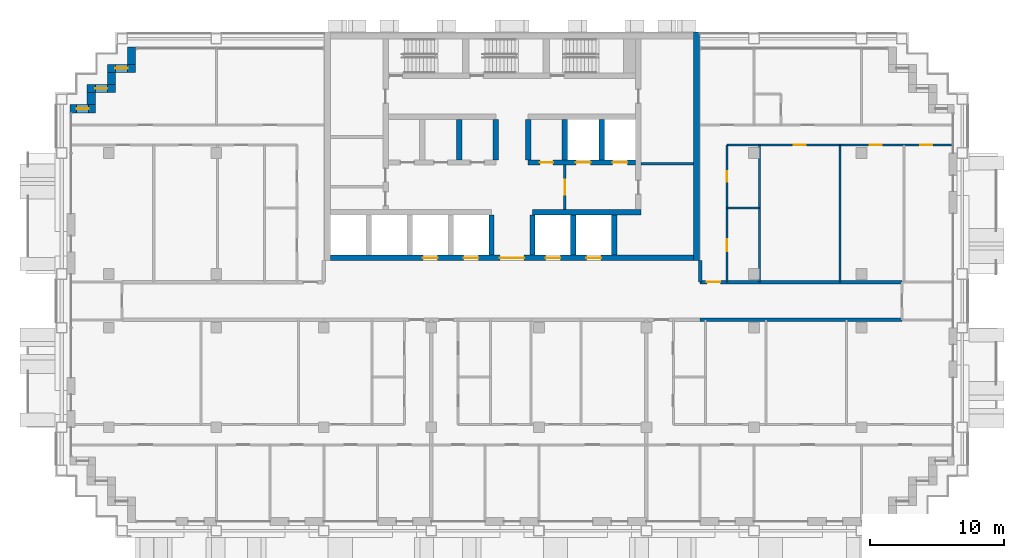
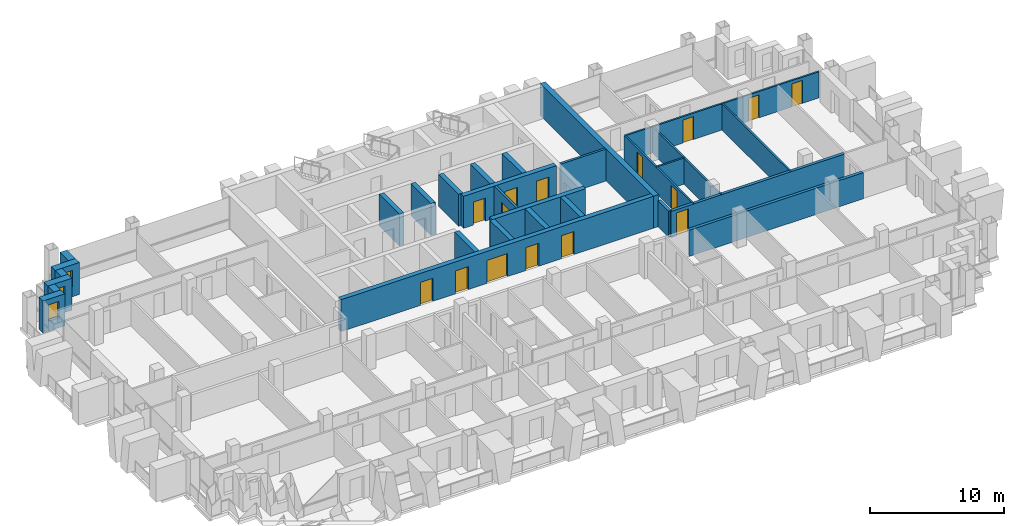
# One storey, part 10 of 16: 29 walls, 15 doors, 3 windows, 18 openings.
"""IFC4 building model written with IfcOpenShell, lengths in metres."""

from ifc_helpers import new_model, si_unit, direction, frame, frame_2d, origin, place, context, subcontext, project, spatial, rectangle, extrude, material, layer, layer_set, type_object, element, fill, save


model = new_model("IFC4")

# Units and contexts
model_context = context("Model", 3, precision=1e-05, world=origin(), true_north=direction((0.0, 1.0)))
body_context = subcontext(model_context, "Body", "Model", "MODEL_VIEW")
ifc_project = project(units=[si_unit("LENGTHUNIT", "METRE"), si_unit("AREAUNIT", "SQUARE_METRE"), si_unit("VOLUMEUNIT", "CUBIC_METRE"), si_unit("PLANEANGLEUNIT", "RADIAN"), si_unit("MASSUNIT", "GRAM", prefix="KILO")], contexts=[model_context])

# Site, building, storey
site_placement = place(None, origin())
site = spatial("IfcSite", under=ifc_project, at=site_placement, CompositionType="ELEMENT")
building_placement = place(site_placement, origin())
building = spatial("IfcBuilding", under=site, at=building_placement, Name="Vidyagriha Tower", CompositionType="ELEMENT")
storey_placement = place(building_placement, frame((0.0, 0.0, 135.800048828125)))
storey = spatial("IfcBuildingStorey", under=building, at=storey_placement, Name="L35", CompositionType="ELEMENT", Elevation=135.800048828125)

# Wall
ifc_material_1 = material(Name="Precast concrete C40/50 with brick facing", Category="concrete")
ifc_layer_1 = layer(ifc_material_1, 0.60009765625)
ifc_layer_set_1 = layer_set([ifc_layer_1], Name="Precast concrete C40/50 with brick facing")
wall_type_1 = type_object("IfcWallType", Name="Brick-faced precast wall 600", PredefinedType="STANDARD", material=ifc_layer_set_1)
wall_1_placement = place(storey_placement, frame((-28.300048828125, 18.8798828125, 0.0), z_axis=(0.0, 0.0, 1.0), x_axis=(0.0, -1.0, 0.0)))
element("IfcWall", 1, at=wall_1_placement, inside=storey, type_object=wall_type_1, Name="Stepped corner wall L35 R10", PredefinedType="STANDARD", context=body_context, shape_type="SweptSolid", body=[
    extrude(rectangle(XDim=1.27978515625, YDim=0.60009765625, at=frame_2d((0.639892578125, 0.0))), origin(), (0.0, 0.0, 1.0), 2.919921875),
])

# Wall, opening, window
wall_2_placement = place(storey_placement, frame((-28.0, 17.300048828125, 0.0), z_axis=(0.0, 0.0, 1.0), x_axis=(-1.0, 0.0, 0.0)))
wall_2 = element("IfcWall", 2, at=wall_2_placement, inside=storey, type_object=wall_type_1, Name="Stepped corner wall L35 R11", PredefinedType="STANDARD", context=body_context, shape_type="SweptSolid", body=[
    extrude(rectangle(XDim=2.10009765625, YDim=0.60009765625, at=frame_2d((1.050048828125, 0.0))), origin(), (0.0, 0.0, 1.0), 2.919921875),
])
opening_1_placement = place(wall_2_placement, frame((0.60009765625, 0.0, 0.89990234375)))
opening_1 = element("IfcOpeningElement", 3, at=opening_1_placement, cuts=wall_2, Name="Opening WN1", PredefinedType="OPENING", context=body_context, shape_type="SweptSolid", body=[
    extrude(rectangle(XDim=0.89990234375, YDim=1.5, at=frame_2d((0.449951171875, 0.75))), frame((0.0, 0.31005859375, 0.0), z_axis=(0.0, -1.0, 0.0), x_axis=(1.0, 0.0, 0.0)), (0.0, 0.0, 1.0), 0.6201171875),
])
ifc_material_2 = material(Name="Aluminium and glass window", Category="aluminium")
window_type = type_object("IfcWindowType", Name="Reveal window 900x1500", PartitioningType="NOTDEFINED", PredefinedType="WINDOW", material=ifc_material_2)
window_1_placement = place(opening_1_placement, origin())
window_1 = element("IfcWindow", 4, at=window_1_placement, inside=storey, type_object=window_type, Name="Reveal window L35 R11", OverallHeight=1.5, OverallWidth=0.89990234375, PartitioningType="SINGLE_PANEL", PredefinedType="WINDOW", context=body_context, shape_type="SweptSolid", body=[
    extrude(rectangle(XDim=0.89990234375, YDim=1.5, at=frame_2d((0.449951171875, 0.75))), frame((0.0, 0.030029296875, 0.0), z_axis=(0.0, -1.0, 0.0), x_axis=(1.0, 0.0, 0.0)), (0.0, 0.0, 1.0), 0.06005859375),
])
fill(opening_1, window_1)

# Wall
wall_3_placement = place(storey_placement, frame((-29.800048828125, 17.0, 0.0), z_axis=(0.0, 0.0, 1.0), x_axis=(0.0, -1.0, 0.0)))
element("IfcWall", 5, at=wall_3_placement, inside=storey, type_object=wall_type_1, Name="Stepped corner wall L35 R12", PredefinedType="STANDARD", context=body_context, shape_type="SweptSolid", body=[
    extrude(rectangle(XDim=0.89990234375, YDim=0.60009765625, at=frame_2d((0.449951171875, 0.0))), origin(), (0.0, 0.0, 1.0), 2.919921875),
])

# Wall, opening, window
wall_4_placement = place(storey_placement, frame((-29.5, 15.800048828125, 0.0), z_axis=(0.0, 0.0, 1.0), x_axis=(-1.0, 0.0, 0.0)))
wall_4 = element("IfcWall", 6, at=wall_4_placement, inside=storey, type_object=wall_type_1, Name="Stepped corner wall L35 R13", PredefinedType="STANDARD", context=body_context, shape_type="SweptSolid", body=[
    extrude(rectangle(XDim=2.10009765625, YDim=0.60009765625, at=frame_2d((1.050048828125, 0.0))), origin(), (0.0, 0.0, 1.0), 2.919921875),
])
opening_2_placement = place(wall_4_placement, frame((0.60009765625, 0.0, 0.89990234375)))
opening_2 = element("IfcOpeningElement", 7, at=opening_2_placement, cuts=wall_4, Name="Opening WN1", PredefinedType="OPENING", context=body_context, shape_type="SweptSolid", body=[
    extrude(rectangle(XDim=0.89990234375, YDim=1.5, at=frame_2d((0.449951171875, 0.75))), frame((0.0, 0.31005859375, 0.0), z_axis=(0.0, -1.0, 0.0), x_axis=(1.0, 0.0, 0.0)), (0.0, 0.0, 1.0), 0.6201171875),
])
window_2_placement = place(opening_2_placement, origin())
window_2 = element("IfcWindow", 8, at=window_2_placement, inside=storey, type_object=window_type, Name="Reveal window L35 R13", OverallHeight=1.5, OverallWidth=0.89990234375, PartitioningType="SINGLE_PANEL", PredefinedType="WINDOW", context=body_context, shape_type="SweptSolid", body=[
    extrude(rectangle(XDim=0.89990234375, YDim=1.5, at=frame_2d((0.449951171875, 0.75))), frame((0.0, 0.030029296875, 0.0), z_axis=(0.0, -1.0, 0.0), x_axis=(1.0, 0.0, 0.0)), (0.0, 0.0, 1.0), 0.06005859375),
])
fill(opening_2, window_2)

# Wall
wall_5_placement = place(storey_placement, frame((-31.300048828125, 15.5, 0.0), z_axis=(0.0, 0.0, 1.0), x_axis=(0.0, -1.0, 0.0)))
element("IfcWall", 9, at=wall_5_placement, inside=storey, type_object=wall_type_1, Name="Stepped corner wall L35 R14", PredefinedType="STANDARD", context=body_context, shape_type="SweptSolid", body=[
    extrude(rectangle(XDim=0.89990234375, YDim=0.60009765625, at=frame_2d((0.449951171875, 0.0))), origin(), (0.0, 0.0, 1.0), 2.919921875),
])

# Wall, opening, window
wall_6_placement = place(storey_placement, frame((-31.0, 14.300048828125, 0.0), z_axis=(0.0, 0.0, 1.0), x_axis=(-1.0, 0.0, 0.0)))
wall_6 = element("IfcWall", 10, at=wall_6_placement, inside=storey, type_object=wall_type_1, Name="Stepped corner wall L35 R15", PredefinedType="STANDARD", context=body_context, shape_type="SweptSolid", body=[
    extrude(rectangle(XDim=1.8798828125, YDim=0.60009765625, at=frame_2d((0.93994140625, 0.0))), origin(), (0.0, 0.0, 1.0), 2.919921875),
])
opening_3_placement = place(wall_6_placement, frame((0.489990234375, 0.0, 0.89990234375)))
opening_3 = element("IfcOpeningElement", 11, at=opening_3_placement, cuts=wall_6, Name="Opening WN1", PredefinedType="OPENING", context=body_context, shape_type="SweptSolid", body=[
    extrude(rectangle(XDim=0.89990234375, YDim=1.5, at=frame_2d((0.449951171875, 0.75))), frame((0.0, 0.31005859375, 0.0), z_axis=(0.0, -1.0, 0.0), x_axis=(1.0, 0.0, 0.0)), (0.0, 0.0, 1.0), 0.6201171875),
])
window_3_placement = place(opening_3_placement, origin())
window_3 = element("IfcWindow", 12, at=window_3_placement, inside=storey, type_object=window_type, Name="Reveal window L35 R15", OverallHeight=1.5, OverallWidth=0.89990234375, PartitioningType="SINGLE_PANEL", PredefinedType="WINDOW", context=body_context, shape_type="SweptSolid", body=[
    extrude(rectangle(XDim=0.89990234375, YDim=1.5, at=frame_2d((0.449951171875, 0.75))), frame((0.0, 0.030029296875, 0.0), z_axis=(0.0, -1.0, 0.0), x_axis=(1.0, 0.0, 0.0)), (0.0, 0.0, 1.0), 0.06005859375),
])
fill(opening_3, window_3)

# Wall, openings, doors
ifc_material_3 = material(Name="Concrete C60/75", Category="concrete")
ifc_layer_2 = layer(ifc_material_3, 0.39990234375)
ifc_layer_set_2 = layer_set([ifc_layer_2], Name="Concrete C60/75")
wall_type_2 = type_object("IfcWallType", Name="Core shear wall 400 mm", PredefinedType="SHEAR", material=ifc_layer_set_2)
wall_7_placement = place(storey_placement, frame((-13.5, 3.199951171875, 0.0)))
wall_7 = element("IfcWall", 13, at=wall_7_placement, inside=storey, type_object=wall_type_2, Name="Core front wall", PredefinedType="SHEAR", context=body_context, shape_type="SweptSolid", body=[
    extrude(rectangle(XDim=27.0, YDim=0.39990234375, at=frame_2d((13.5, 0.0))), origin(), (0.0, 0.0, 1.0), 2.919921875),
])
opening_4_placement = place(wall_7_placement, frame((6.861083984375, 0.0, 0.0)))
opening_4 = element("IfcOpeningElement", 14, at=opening_4_placement, cuts=wall_7, Name="Opening LD35-01", PredefinedType="OPENING", context=body_context, shape_type="SweptSolid", body=[
    extrude(rectangle(XDim=1.10009765625, YDim=2.10009765625, at=frame_2d((0.550048828125, 1.050048828125))), frame((0.0, 0.2099609375, 0.0), z_axis=(0.0, -1.0, 0.0), x_axis=(1.0, 0.0, 0.0)), (0.0, 0.0, 1.0), 0.419921875),
])
opening_5_placement = place(wall_7_placement, frame((9.905517578125, 0.0, 0.0)))
opening_5 = element("IfcOpeningElement", 15, at=opening_5_placement, cuts=wall_7, Name="Opening LD35-02", PredefinedType="OPENING", context=body_context, shape_type="SweptSolid", body=[
    extrude(rectangle(XDim=1.10009765625, YDim=2.10009765625, at=frame_2d((0.550048828125, 1.050048828125))), frame((0.0, 0.2099609375, 0.0), z_axis=(0.0, -1.0, 0.0), x_axis=(1.0, 0.0, 0.0)), (0.0, 0.0, 1.0), 0.419921875),
])
opening_6_placement = place(wall_7_placement, frame((15.994384765625, 0.0, 0.0)))
opening_6 = element("IfcOpeningElement", 16, at=opening_6_placement, cuts=wall_7, Name="Opening LD35-03", PredefinedType="OPENING", context=body_context, shape_type="SweptSolid", body=[
    extrude(rectangle(XDim=1.10009765625, YDim=2.10009765625, at=frame_2d((0.550048828125, 1.050048828125))), frame((0.0, 0.2099609375, 0.0), z_axis=(0.0, -1.0, 0.0), x_axis=(1.0, 0.0, 0.0)), (0.0, 0.0, 1.0), 0.419921875),
])
opening_7_placement = place(wall_7_placement, frame((19.038818359375, 0.0, 0.0)))
opening_7 = element("IfcOpeningElement", 17, at=opening_7_placement, cuts=wall_7, Name="Opening LD35-04", PredefinedType="OPENING", context=body_context, shape_type="SweptSolid", body=[
    extrude(rectangle(XDim=1.10009765625, YDim=2.10009765625, at=frame_2d((0.550048828125, 1.050048828125))), frame((0.0, 0.2099609375, 0.0), z_axis=(0.0, -1.0, 0.0), x_axis=(1.0, 0.0, 0.0)), (0.0, 0.0, 1.0), 0.419921875),
])
opening_8_placement = place(wall_7_placement, frame((12.60009765625, 0.0, 0.0)))
opening_8 = element("IfcOpeningElement", 18, at=opening_8_placement, cuts=wall_7, Name="Opening D35-01", PredefinedType="OPENING", context=body_context, shape_type="SweptSolid", body=[
    extrude(rectangle(XDim=1.800048828125, YDim=2.10009765625, at=frame_2d((0.89990234375, 1.050048828125))), frame((0.0, 0.2099609375, 0.0), z_axis=(0.0, -1.0, 0.0), x_axis=(1.0, 0.0, 0.0)), (0.0, 0.0, 1.0), 0.419921875),
])
ifc_material_4 = material(Name="Hollow metal door leaf")
door_type_1 = type_object("IfcDoorType", Name="Core lobby double door 1800 x 2100 mm EI 60", OperationType="NOTDEFINED", PredefinedType="DOOR", material=ifc_material_4)
door_1_placement = place(opening_8_placement, frame((1.800048828125, 0.0, 0.0), z_axis=(0.0, 0.0, 1.0), x_axis=(-1.0, 0.0, 0.0)))
door_1 = element("IfcDoor", 19, at=door_1_placement, inside=storey, type_object=door_type_1, Name="Core entrance door L35", OperationType="DOUBLE_DOOR_SINGLE_SWING", OverallHeight=2.10009765625, OverallWidth=1.800048828125, PredefinedType="DOOR", context=body_context, shape_type="SweptSolid", body=[
    extrude(rectangle(XDim=1.800048828125, YDim=2.10009765625, at=frame_2d((0.89990234375, 1.050048828125))), frame((0.0, 0.02490234375, 0.0), z_axis=(0.0, -1.0, 0.0), x_axis=(1.0, 0.0, 0.0)), (0.0, 0.0, 1.0), 0.050048828125),
])
fill(opening_8, door_1)
ifc_material_5 = material(Name="Stainless steel sliding door panel", Category="steel")
door_type_2 = type_object("IfcDoorType", Name="Lift landing door 1100 x 2100 mm EI 90", OperationType="NOTDEFINED", PredefinedType="DOOR", material=ifc_material_5)
door_2_placement = place(opening_4_placement, origin())
door_2 = element("IfcDoor", 20, at=door_2_placement, inside=storey, type_object=door_type_2, Name="Landing door LR1 L35", OperationType="SLIDING_TO_LEFT", OverallHeight=2.10009765625, OverallWidth=1.10009765625, PredefinedType="DOOR", context=body_context, shape_type="SweptSolid", body=[
    extrude(rectangle(XDim=1.10009765625, YDim=2.10009765625, at=frame_2d((0.550048828125, 1.050048828125))), frame((0.0, 0.02490234375, 0.0), z_axis=(0.0, -1.0, 0.0), x_axis=(1.0, 0.0, 0.0)), (0.0, 0.0, 1.0), 0.050048828125),
])
fill(opening_4, door_2)
door_3_placement = place(opening_5_placement, origin())
door_3 = element("IfcDoor", 21, at=door_3_placement, inside=storey, type_object=door_type_2, Name="Landing door LR2 L35", OperationType="SLIDING_TO_LEFT", OverallHeight=2.10009765625, OverallWidth=1.10009765625, PredefinedType="DOOR", context=body_context, shape_type="SweptSolid", body=[
    extrude(rectangle(XDim=1.10009765625, YDim=2.10009765625, at=frame_2d((0.550048828125, 1.050048828125))), frame((0.0, 0.02490234375, 0.0), z_axis=(0.0, -1.0, 0.0), x_axis=(1.0, 0.0, 0.0)), (0.0, 0.0, 1.0), 0.050048828125),
])
fill(opening_5, door_3)
door_4_placement = place(opening_6_placement, origin())
door_4 = element("IfcDoor", 22, at=door_4_placement, inside=storey, type_object=door_type_2, Name="Landing door LR3 L35", OperationType="SLIDING_TO_LEFT", OverallHeight=2.10009765625, OverallWidth=1.10009765625, PredefinedType="DOOR", context=body_context, shape_type="SweptSolid", body=[
    extrude(rectangle(XDim=1.10009765625, YDim=2.10009765625, at=frame_2d((0.550048828125, 1.050048828125))), frame((0.0, 0.02490234375, 0.0), z_axis=(0.0, -1.0, 0.0), x_axis=(1.0, 0.0, 0.0)), (0.0, 0.0, 1.0), 0.050048828125),
])
fill(opening_6, door_4)
door_5_placement = place(opening_7_placement, origin())
door_5 = element("IfcDoor", 23, at=door_5_placement, inside=storey, type_object=door_type_2, Name="Landing door LR4 L35", OperationType="SLIDING_TO_LEFT", OverallHeight=2.10009765625, OverallWidth=1.10009765625, PredefinedType="DOOR", context=body_context, shape_type="SweptSolid", body=[
    extrude(rectangle(XDim=1.10009765625, YDim=2.10009765625, at=frame_2d((0.550048828125, 1.050048828125))), frame((0.0, 0.02490234375, 0.0), z_axis=(0.0, -1.0, 0.0), x_axis=(1.0, 0.0, 0.0)), (0.0, 0.0, 1.0), 0.050048828125),
])
fill(opening_7, door_5)

# Walls
wall_8_placement = place(storey_placement, frame((1.522216796875, 6.60009765625, 0.0)))
element("IfcWall", 24, at=wall_8_placement, inside=storey, type_object=wall_type_2, Name="Core lobby south wall east", PredefinedType="SHEAR", context=body_context, shape_type="SweptSolid", body=[
    extrude(rectangle(XDim=8.077880859375, YDim=0.39990234375, at=frame_2d((4.0390625, 0.0))), origin(), (0.0, 0.0, 1.0), 2.919921875),
])
for number, where, z_axis, x_axis, name in (
    (25, (-1.522216796875, 3.39990234375, 0.0), (0.0, 0.0, 1.0), (0.0, 1.0, 0.0), "Core bay wall S4"),
    (26, (1.522216796875, 3.39990234375, 0.0), (0.0, 0.0, 1.0), (0.0, 1.0, 0.0), "Core bay wall S5"),
    (27, (4.566650390625, 3.39990234375, 0.0), (0.0, 0.0, 1.0), (0.0, 1.0, 0.0), "Core bay wall S6"),
    (28, (7.611083984375, 3.39990234375, 0.0), (0.0, 0.0, 1.0), (0.0, 1.0, 0.0), "Core bay wall S7"),
):
    element("IfcWall", number, at=place(storey_placement, frame(where, z_axis=z_axis, x_axis=x_axis)), inside=storey, type_object=wall_type_2, Name=name, PredefinedType="SHEAR", context=body_context, shape_type="SweptSolid", body=[
        extrude(rectangle(XDim=3.0, YDim=0.39990234375, at=frame_2d((1.5, 0.0))), origin(), (0.0, 0.0, 1.0), 2.919921875),
    ])

# Wall, openings, doors
wall_9_placement = place(storey_placement, frame((1.199951171875, 10.300048828125, 0.0)))
wall_9 = element("IfcWall", 29, at=wall_9_placement, inside=storey, type_object=wall_type_2, Name="Core row N front wall", PredefinedType="SHEAR", context=body_context, shape_type="SweptSolid", body=[
    extrude(rectangle(XDim=8.0, YDim=0.39990234375, at=frame_2d((4.0, 0.0))), origin(), (0.0, 0.0, 1.0), 2.919921875),
])
opening_9_placement = place(wall_9_placement, frame((3.550048828125, 0.0, 0.0)))
opening_9 = element("IfcOpeningElement", 30, at=opening_9_placement, cuts=wall_9, Name="Opening LD35-05", PredefinedType="OPENING", context=body_context, shape_type="SweptSolid", body=[
    extrude(rectangle(XDim=1.10009765625, YDim=2.10009765625, at=frame_2d((0.550048828125, 1.050048828125))), frame((0.0, 0.2099609375, 0.0), z_axis=(0.0, -1.0, 0.0), x_axis=(1.0, 0.0, 0.0)), (0.0, 0.0, 1.0), 0.419921875),
])
opening_10_placement = place(wall_9_placement, frame((6.283203125, 0.0, 0.0)))
opening_10 = element("IfcOpeningElement", 31, at=opening_10_placement, cuts=wall_9, Name="Opening LD35-06", PredefinedType="OPENING", context=body_context, shape_type="SweptSolid", body=[
    extrude(rectangle(XDim=1.10009765625, YDim=2.10009765625, at=frame_2d((0.550048828125, 1.050048828125))), frame((0.0, 0.2099609375, 0.0), z_axis=(0.0, -1.0, 0.0), x_axis=(1.0, 0.0, 0.0)), (0.0, 0.0, 1.0), 0.419921875),
])
opening_11_placement = place(wall_9_placement, frame((0.86669921875, 0.0, 0.0)))
opening_11 = element("IfcOpeningElement", 32, at=opening_11_placement, cuts=wall_9, Name="Opening D35-05", PredefinedType="OPENING", context=body_context, shape_type="SweptSolid", body=[
    extrude(rectangle(XDim=1.0, YDim=2.10009765625, at=frame_2d((0.5, 1.050048828125))), frame((0.0, 0.2099609375, 0.0), z_axis=(0.0, -1.0, 0.0), x_axis=(1.0, 0.0, 0.0)), (0.0, 0.0, 1.0), 0.419921875),
])
ifc_material_6 = material(Name="Hollow metal door leaf")
door_type_3 = type_object("IfcDoorType", Name="Core room door 1000 x 2100 mm EI 60", OperationType="NOTDEFINED", PredefinedType="DOOR", material=ifc_material_6)
door_6_placement = place(opening_11_placement, frame((1.0, 0.0, 0.0), z_axis=(0.0, 0.0, 1.0), x_axis=(-1.0, 0.0, 0.0)))
door_6 = element("IfcDoor", 33, at=door_6_placement, inside=storey, type_object=door_type_3, Name="Door Pressurisation Plant Room 35.17", OperationType="SINGLE_SWING_LEFT", OverallHeight=2.10009765625, OverallWidth=1.0, PredefinedType="DOOR", context=body_context, shape_type="SweptSolid", body=[
    extrude(rectangle(XDim=1.0, YDim=2.10009765625, at=frame_2d((0.5, 1.050048828125))), frame((0.0, 0.02490234375, 0.0), z_axis=(0.0, -1.0, 0.0), x_axis=(1.0, 0.0, 0.0)), (0.0, 0.0, 1.0), 0.050048828125),
])
fill(opening_11, door_6)
door_7_placement = place(opening_9_placement, origin())
door_7 = element("IfcDoor", 34, at=door_7_placement, inside=storey, type_object=door_type_2, Name="Landing door FF1 L35", OperationType="SLIDING_TO_LEFT", OverallHeight=2.10009765625, OverallWidth=1.10009765625, PredefinedType="DOOR", context=body_context, shape_type="SweptSolid", body=[
    extrude(rectangle(XDim=1.10009765625, YDim=2.10009765625, at=frame_2d((0.550048828125, 1.050048828125))), frame((0.0, 0.02490234375, 0.0), z_axis=(0.0, -1.0, 0.0), x_axis=(1.0, 0.0, 0.0)), (0.0, 0.0, 1.0), 0.050048828125),
])
fill(opening_9, door_7)
door_8_placement = place(opening_10_placement, origin())
door_8 = element("IfcDoor", 35, at=door_8_placement, inside=storey, type_object=door_type_2, Name="Landing door FF2 L35", OperationType="SLIDING_TO_LEFT", OverallHeight=2.10009765625, OverallWidth=1.10009765625, PredefinedType="DOOR", context=body_context, shape_type="SweptSolid", body=[
    extrude(rectangle(XDim=1.10009765625, YDim=2.10009765625, at=frame_2d((0.550048828125, 1.050048828125))), frame((0.0, 0.02490234375, 0.0), z_axis=(0.0, -1.0, 0.0), x_axis=(1.0, 0.0, 0.0)), (0.0, 0.0, 1.0), 0.050048828125),
])
fill(opening_10, door_8)

# Walls
for number, where, z_axis, x_axis, name in (
    (36, (-3.933349609375, 10.5, 0.0), (0.0, 0.0, 1.0), (0.0, 1.0, 0.0), "Core bay wall N2"),
    (37, (-1.199951171875, 10.5, 0.0), (0.0, 0.0, 1.0), (0.0, 1.0, 0.0), "Core bay wall N3"),
    (38, (1.199951171875, 10.5, 0.0), (0.0, 0.0, 1.0), (0.0, 1.0, 0.0), "Core bay wall N4"),
    (39, (3.933349609375, 10.5, 0.0), (0.0, 0.0, 1.0), (0.0, 1.0, 0.0), "Core bay wall N5"),
    (40, (6.666748046875, 10.5, 0.0), (0.0, 0.0, 1.0), (0.0, 1.0, 0.0), "Core bay wall N6"),
):
    element("IfcWall", number, at=place(storey_placement, frame(where, z_axis=z_axis, x_axis=x_axis)), inside=storey, type_object=wall_type_2, Name=name, PredefinedType="SHEAR", context=body_context, shape_type="SweptSolid", body=[
        extrude(rectangle(XDim=3.0, YDim=0.39990234375, at=frame_2d((1.5, 0.0))), origin(), (0.0, 0.0, 1.0), 2.919921875),
    ])
ifc_material_7 = material(Name="Concrete C60/75", Category="concrete")
ifc_layer_3 = layer(ifc_material_7, 0.449951171875)
ifc_layer_set_3 = layer_set([ifc_layer_3], Name="Concrete C60/75")
wall_type_3 = type_object("IfcWallType", Name="Core shear wall 450 mm", PredefinedType="SHEAR", material=ifc_layer_set_3)
wall_10_placement = place(storey_placement, frame((13.72509765625, 3.0, 0.0), z_axis=(0.0, 0.0, 1.0), x_axis=(0.0, 1.0, 0.0)))
element("IfcWall", 41, at=wall_10_placement, inside=storey, type_object=wall_type_3, Name="Core east wall", PredefinedType="SHEAR", context=body_context, shape_type="SweptSolid", body=[
    extrude(rectangle(XDim=17.0, YDim=0.449951171875, at=frame_2d((8.5, 0.0))), origin(), (0.0, 0.0, 1.0), 2.919921875),
])
ifc_material_8 = material(Name="Fired clay brick masonry", Category="masonry")
ifc_layer_4 = layer(ifc_material_8, 0.25)
ifc_layer_set_4 = layer_set([ifc_layer_4], Name="Fired clay brick masonry")
wall_type_4 = type_object("IfcWallType", Name="Fired clay brick corridor wall 250", PredefinedType="PARTITIONING", material=ifc_layer_set_4)
wall_11_placement = place(storey_placement, frame((29.0, -1.39990234375, 0.0), z_axis=(0.0, 0.0, 1.0), x_axis=(-1.0, 0.0, 0.0)))
element("IfcWall", 42, at=wall_11_placement, inside=storey, type_object=wall_type_4, Name="Wall all-L35-w065", PredefinedType="PARTITIONING", context=body_context, shape_type="SweptSolid", body=[
    extrude(rectangle(XDim=15.0, YDim=0.25, at=frame_2d((7.5, 0.0))), origin(), (0.0, 0.0, 1.0), 2.39990234375),
])

# Wall, opening, door
wall_12_placement = place(storey_placement, frame((14.0, 1.39990234375, 0.0)))
wall_12 = element("IfcWall", 43, at=wall_12_placement, inside=storey, type_object=wall_type_4, Name="Wall all-L35-w106", PredefinedType="PARTITIONING", context=body_context, shape_type="SweptSolid", body=[
    extrude(rectangle(XDim=15.0, YDim=0.25, at=frame_2d((7.5, 0.0))), origin(), (0.0, 0.0, 1.0), 2.39990234375),
])
opening_12_placement = place(wall_12_placement, frame((0.5, 0.0, 0.0)))
opening_12 = element("IfcOpeningElement", 44, at=opening_12_placement, cuts=wall_12, Name="Opening D35-62", PredefinedType="OPENING", context=body_context, shape_type="SweptSolid", body=[
    extrude(rectangle(XDim=1.0, YDim=2.10009765625, at=frame_2d((0.5, 1.050048828125))), frame((0.0, 0.135009765625, 0.0), z_axis=(0.0, -1.0, 0.0), x_axis=(1.0, 0.0, 0.0)), (0.0, 0.0, 1.0), 0.27001953125),
])
ifc_material_9 = material(Name="Fire-rated timber door leaf EI 60", Category="wood")
door_type_4 = type_object("IfcDoorType", Name="Flat entrance fire door 1000x2100", OperationType="NOTDEFINED", PredefinedType="DOOR", material=ifc_material_9)
door_9_placement = place(opening_12_placement, origin())
door_9 = element("IfcDoor", 45, at=door_9_placement, inside=storey, type_object=door_type_4, Name="Door D35-62", OperationType="SINGLE_SWING_LEFT", OverallHeight=2.10009765625, OverallWidth=1.0, PredefinedType="DOOR", context=body_context, shape_type="SweptSolid", body=[
    extrude(rectangle(XDim=1.0, YDim=2.10009765625, at=frame_2d((0.5, 1.050048828125))), frame((0.0, 0.02490234375, 0.0), z_axis=(0.0, -1.0, 0.0), x_axis=(1.0, 0.0, 0.0)), (0.0, 0.0, 1.0), 0.050048828125),
])
fill(opening_12, door_9)

# Walls
wall_13_placement = place(storey_placement, frame((14.0, 1.39990234375, 0.0), z_axis=(0.0, 0.0, 1.0), x_axis=(0.0, 1.0, 0.0)))
element("IfcWall", 46, at=wall_13_placement, inside=storey, type_object=wall_type_4, Name="Wall all-L35-w114", PredefinedType="PARTITIONING", context=body_context, shape_type="SweptSolid", body=[
    extrude(rectangle(XDim=1.60009765625, YDim=0.25, at=frame_2d((0.800048828125, 0.0))), origin(), (0.0, 0.0, 1.0), 2.39990234375),
])
ifc_material_10 = material(Name="Gypsum board partition")
ifc_layer_5 = layer(ifc_material_10, 0.14990234375)
ifc_layer_set_5 = layer_set([ifc_layer_5], Name="Gypsum board partition")
wall_type_5 = type_object("IfcWallType", Name="Gypsum board partition 150", PredefinedType="PARTITIONING", material=ifc_layer_set_5)
wall_14_placement = place(storey_placement, frame((16.0, 6.89990234375, 0.0)))
element("IfcWall", 47, at=wall_14_placement, inside=storey, type_object=wall_type_5, Name="Wall all-L35-w088", PredefinedType="PARTITIONING", context=body_context, shape_type="SweptSolid", body=[
    extrude(rectangle(XDim=2.39990234375, YDim=0.14990234375, at=frame_2d((1.199951171875, 0.0))), origin(), (0.0, 0.0, 1.0), 2.39990234375),
])
for number, where, z_axis, x_axis, name in (
    (48, (18.39990234375, 11.60009765625, 0.0), (0.0, 0.0, 1.0), (0.0, -1.0, 0.0), "Wall all-L35-w089"),
    (49, (24.39990234375, 11.60009765625, 0.0), (0.0, 0.0, 1.0), (0.0, -1.0, 0.0), "Wall all-L35-w090"),
):
    element("IfcWall", number, at=place(storey_placement, frame(where, z_axis=z_axis, x_axis=x_axis)), inside=storey, type_object=wall_type_5, Name=name, PredefinedType="PARTITIONING", context=body_context, shape_type="SweptSolid", body=[
        extrude(rectangle(XDim=10.2001953125, YDim=0.14990234375, at=frame_2d((5.10009765625, 0.0))), origin(), (0.0, 0.0, 1.0), 2.39990234375),
    ])

# Wall, openings, doors
wall_15_placement = place(storey_placement, frame((32.719970703125, 11.60009765625, 0.0), z_axis=(0.0, 0.0, 1.0), x_axis=(-1.0, 0.0, 0.0)))
wall_15 = element("IfcWall", 50, at=wall_15_placement, inside=storey, type_object=wall_type_5, Name="Wall all-L35-w092", PredefinedType="PARTITIONING", context=body_context, shape_type="SweptSolid", body=[
    extrude(rectangle(XDim=16.719970703125, YDim=0.14990234375, at=frame_2d((8.35986328125, 0.0))), origin(), (0.0, 0.0, 1.0), 2.39990234375),
])
opening_13_placement = place(wall_15_placement, frame((10.8701171875, 0.0, 0.0)))
opening_13 = element("IfcOpeningElement", 51, at=opening_13_placement, cuts=wall_15, Name="Opening D35-55", PredefinedType="OPENING", context=body_context, shape_type="SweptSolid", body=[
    extrude(rectangle(XDim=0.89990234375, YDim=2.10009765625, at=frame_2d((0.449951171875, 1.050048828125))), frame((0.0, 0.0849609375, 0.0), z_axis=(0.0, -1.0, 0.0), x_axis=(1.0, 0.0, 0.0)), (0.0, 0.0, 1.0), 0.169921875),
])
opening_14_placement = place(wall_15_placement, frame((5.201904296875, 0.0, 0.0)))
opening_14 = element("IfcOpeningElement", 52, at=opening_14_placement, cuts=wall_15, Name="Opening D35-56", PredefinedType="OPENING", context=body_context, shape_type="SweptSolid", body=[
    extrude(rectangle(XDim=0.89990234375, YDim=2.10009765625, at=frame_2d((0.449951171875, 1.050048828125))), frame((0.0, 0.0849609375, 0.0), z_axis=(0.0, -1.0, 0.0), x_axis=(1.0, 0.0, 0.0)), (0.0, 0.0, 1.0), 0.169921875),
])
opening_15_placement = place(wall_15_placement, frame((1.445068359375, 0.0, 0.0)))
opening_15 = element("IfcOpeningElement", 53, at=opening_15_placement, cuts=wall_15, Name="Opening D35-57", PredefinedType="OPENING", context=body_context, shape_type="SweptSolid", body=[
    extrude(rectangle(XDim=0.89990234375, YDim=2.10009765625, at=frame_2d((0.449951171875, 1.050048828125))), frame((0.0, 0.0849609375, 0.0), z_axis=(0.0, -1.0, 0.0), x_axis=(1.0, 0.0, 0.0)), (0.0, 0.0, 1.0), 0.169921875),
])
ifc_material_11 = material(Name="Timber door leaf", Category="wood")
door_type_5 = type_object("IfcDoorType", Name="Room door 900x2100", OperationType="NOTDEFINED", PredefinedType="DOOR", material=ifc_material_11)
door_10_placement = place(opening_13_placement, origin())
door_10 = element("IfcDoor", 54, at=door_10_placement, inside=storey, type_object=door_type_5, Name="Door D35-55", OperationType="SINGLE_SWING_RIGHT", OverallHeight=2.10009765625, OverallWidth=0.89990234375, PredefinedType="DOOR", context=body_context, shape_type="SweptSolid", body=[
    extrude(rectangle(XDim=0.89990234375, YDim=2.10009765625, at=frame_2d((0.449951171875, 1.050048828125))), frame((0.0, 0.02490234375, 0.0), z_axis=(0.0, -1.0, 0.0), x_axis=(1.0, 0.0, 0.0)), (0.0, 0.0, 1.0), 0.050048828125),
])
fill(opening_13, door_10)
door_11_placement = place(opening_14_placement, origin())
door_11 = element("IfcDoor", 55, at=door_11_placement, inside=storey, type_object=door_type_5, Name="Door D35-56", OperationType="SINGLE_SWING_LEFT", OverallHeight=2.10009765625, OverallWidth=0.89990234375, PredefinedType="DOOR", context=body_context, shape_type="SweptSolid", body=[
    extrude(rectangle(XDim=0.89990234375, YDim=2.10009765625, at=frame_2d((0.449951171875, 1.050048828125))), frame((0.0, 0.02490234375, 0.0), z_axis=(0.0, -1.0, 0.0), x_axis=(1.0, 0.0, 0.0)), (0.0, 0.0, 1.0), 0.050048828125),
])
fill(opening_14, door_11)
door_12_placement = place(opening_15_placement, origin())
door_12 = element("IfcDoor", 56, at=door_12_placement, inside=storey, type_object=door_type_5, Name="Door D35-57", OperationType="SINGLE_SWING_RIGHT", OverallHeight=2.10009765625, OverallWidth=0.89990234375, PredefinedType="DOOR", context=body_context, shape_type="SweptSolid", body=[
    extrude(rectangle(XDim=0.89990234375, YDim=2.10009765625, at=frame_2d((0.449951171875, 1.050048828125))), frame((0.0, 0.02490234375, 0.0), z_axis=(0.0, -1.0, 0.0), x_axis=(1.0, 0.0, 0.0)), (0.0, 0.0, 1.0), 0.050048828125),
])
fill(opening_15, door_12)

ifc_material_12 = material(Name="Moisture resistant gypsum board partition")
ifc_layer_6 = layer(ifc_material_12, 0.14990234375)
ifc_layer_set_6 = layer_set([ifc_layer_6], Name="Moisture resistant gypsum board partition")
wall_type_6 = type_object("IfcWallType", Name="Gypsum board wet-area partition 150", PredefinedType="PARTITIONING", material=ifc_layer_set_6)
wall_16_placement = place(storey_placement, frame((16.0, 11.60009765625, 0.0), z_axis=(0.0, 0.0, 1.0), x_axis=(0.0, -1.0, 0.0)))
wall_16 = element("IfcWall", 57, at=wall_16_placement, inside=storey, type_object=wall_type_6, Name="Wall all-L35-w085", PredefinedType="PARTITIONING", context=body_context, shape_type="SweptSolid", body=[
    extrude(rectangle(XDim=10.2001953125, YDim=0.14990234375, at=frame_2d((5.10009765625, 0.0))), origin(), (0.0, 0.0, 1.0), 2.39990234375),
])
opening_16_placement = place(wall_16_placement, frame((7.0, 0.0, 0.0)))
opening_16 = element("IfcOpeningElement", 58, at=opening_16_placement, cuts=wall_16, Name="Opening D35-53", PredefinedType="OPENING", context=body_context, shape_type="SweptSolid", body=[
    extrude(rectangle(XDim=0.89990234375, YDim=2.10009765625, at=frame_2d((0.449951171875, 1.050048828125))), frame((0.0, 0.0849609375, 0.0), z_axis=(0.0, -1.0, 0.0), x_axis=(1.0, 0.0, 0.0)), (0.0, 0.0, 1.0), 0.169921875),
])
opening_17_placement = place(wall_16_placement, frame((1.949951171875, 0.0, 0.0)))
opening_17 = element("IfcOpeningElement", 59, at=opening_17_placement, cuts=wall_16, Name="Opening D35-54", PredefinedType="OPENING", context=body_context, shape_type="SweptSolid", body=[
    extrude(rectangle(XDim=0.800048828125, YDim=2.10009765625, at=frame_2d((0.39990234375, 1.050048828125))), frame((0.0, 0.0849609375, 0.0), z_axis=(0.0, -1.0, 0.0), x_axis=(1.0, 0.0, 0.0)), (0.0, 0.0, 1.0), 0.169921875),
])
ifc_material_13 = material(Name="Timber door leaf", Category="wood")
door_type_6 = type_object("IfcDoorType", Name="Bathroom door 800x2100", OperationType="NOTDEFINED", PredefinedType="DOOR", material=ifc_material_13)
door_13_placement = place(opening_17_placement, origin())
door_13 = element("IfcDoor", 60, at=door_13_placement, inside=storey, type_object=door_type_6, Name="Door D35-54", OperationType="SINGLE_SWING_RIGHT", OverallHeight=2.10009765625, OverallWidth=0.800048828125, PredefinedType="DOOR", context=body_context, shape_type="SweptSolid", body=[
    extrude(rectangle(XDim=0.800048828125, YDim=2.10009765625, at=frame_2d((0.39990234375, 1.050048828125))), frame((0.0, 0.02490234375, 0.0), z_axis=(0.0, -1.0, 0.0), x_axis=(1.0, 0.0, 0.0)), (0.0, 0.0, 1.0), 0.050048828125),
])
fill(opening_17, door_13)
ifc_material_14 = material(Name="Timber door leaf", Category="wood")
door_type_7 = type_object("IfcDoorType", Name="Kitchen door 900x2100", OperationType="NOTDEFINED", PredefinedType="DOOR", material=ifc_material_14)
door_14_placement = place(opening_16_placement, origin())
door_14 = element("IfcDoor", 61, at=door_14_placement, inside=storey, type_object=door_type_7, Name="Door D35-53", OperationType="SINGLE_SWING_LEFT", OverallHeight=2.10009765625, OverallWidth=0.89990234375, PredefinedType="DOOR", context=body_context, shape_type="SweptSolid", body=[
    extrude(rectangle(XDim=0.89990234375, YDim=2.10009765625, at=frame_2d((0.449951171875, 1.050048828125))), frame((0.0, 0.02490234375, 0.0), z_axis=(0.0, -1.0, 0.0), x_axis=(1.0, 0.0, 0.0)), (0.0, 0.0, 1.0), 0.050048828125),
])
fill(opening_16, door_14)

# Wall, opening, door
ifc_material_15 = material(Name="Blockwork 15 MPa", Category="masonry")
ifc_layer_7 = layer(ifc_material_15, 0.199951171875)
ifc_layer_set_7 = layer_set([ifc_layer_7], Name="Blockwork 15 MPa")
wall_type_7 = type_object("IfcWallType", Name="Service room partition 200 mm", PredefinedType="PARTITIONING", material=ifc_layer_set_7)
wall_17_placement = place(storey_placement, frame((3.933349609375, 6.800048828125, 0.0), z_axis=(0.0, 0.0, 1.0), x_axis=(0.0, 1.0, 0.0)))
wall_17 = element("IfcWall", 62, at=wall_17_placement, inside=storey, type_object=wall_type_7, Name="Fire-fighting lobby west wall", PredefinedType="PARTITIONING", context=body_context, shape_type="SweptSolid", body=[
    extrude(rectangle(XDim=3.300048828125, YDim=0.199951171875, at=frame_2d((1.64990234375, 0.0))), origin(), (0.0, 0.0, 1.0), 2.919921875),
])
opening_18_placement = place(wall_17_placement, frame((1.10009765625, 0.0, 0.0)))
opening_18 = element("IfcOpeningElement", 63, at=opening_18_placement, cuts=wall_17, Name="Opening D35-06", PredefinedType="OPENING", context=body_context, shape_type="SweptSolid", body=[
    extrude(rectangle(XDim=1.10009765625, YDim=2.10009765625, at=frame_2d((0.550048828125, 1.050048828125))), frame((0.0, 0.10986328125, 0.0), z_axis=(0.0, -1.0, 0.0), x_axis=(1.0, 0.0, 0.0)), (0.0, 0.0, 1.0), 0.219970703125),
])
ifc_material_16 = material(Name="Hollow metal door leaf")
door_type_8 = type_object("IfcDoorType", Name="Fire-fighting lobby door 1100 x 2100 mm EI 90", OperationType="NOTDEFINED", PredefinedType="DOOR", material=ifc_material_16)
door_15_placement = place(opening_18_placement, origin())
door_15 = element("IfcDoor", 64, at=door_15_placement, inside=storey, type_object=door_type_8, Name="Fire-fighting lobby door L35", OperationType="SINGLE_SWING_RIGHT", OverallHeight=2.10009765625, OverallWidth=1.10009765625, PredefinedType="DOOR", context=body_context, shape_type="SweptSolid", body=[
    extrude(rectangle(XDim=1.10009765625, YDim=2.10009765625, at=frame_2d((0.550048828125, 1.050048828125))), frame((0.0, 0.02490234375, 0.0), z_axis=(0.0, -1.0, 0.0), x_axis=(1.0, 0.0, 0.0)), (0.0, 0.0, 1.0), 0.050048828125),
])
fill(opening_18, door_15)

# Wall
wall_18_placement = place(storey_placement, frame((9.60009765625, 10.199951171875, 0.0)))
element("IfcWall", 65, at=wall_18_placement, inside=storey, type_object=wall_type_7, Name="Core room partition E1", PredefinedType="PARTITIONING", context=body_context, shape_type="SweptSolid", body=[
    extrude(rectangle(XDim=3.89990234375, YDim=0.199951171875, at=frame_2d((1.949951171875, 0.0))), origin(), (0.0, 0.0, 1.0), 2.919921875),
])

save(model, "model.ifc")
